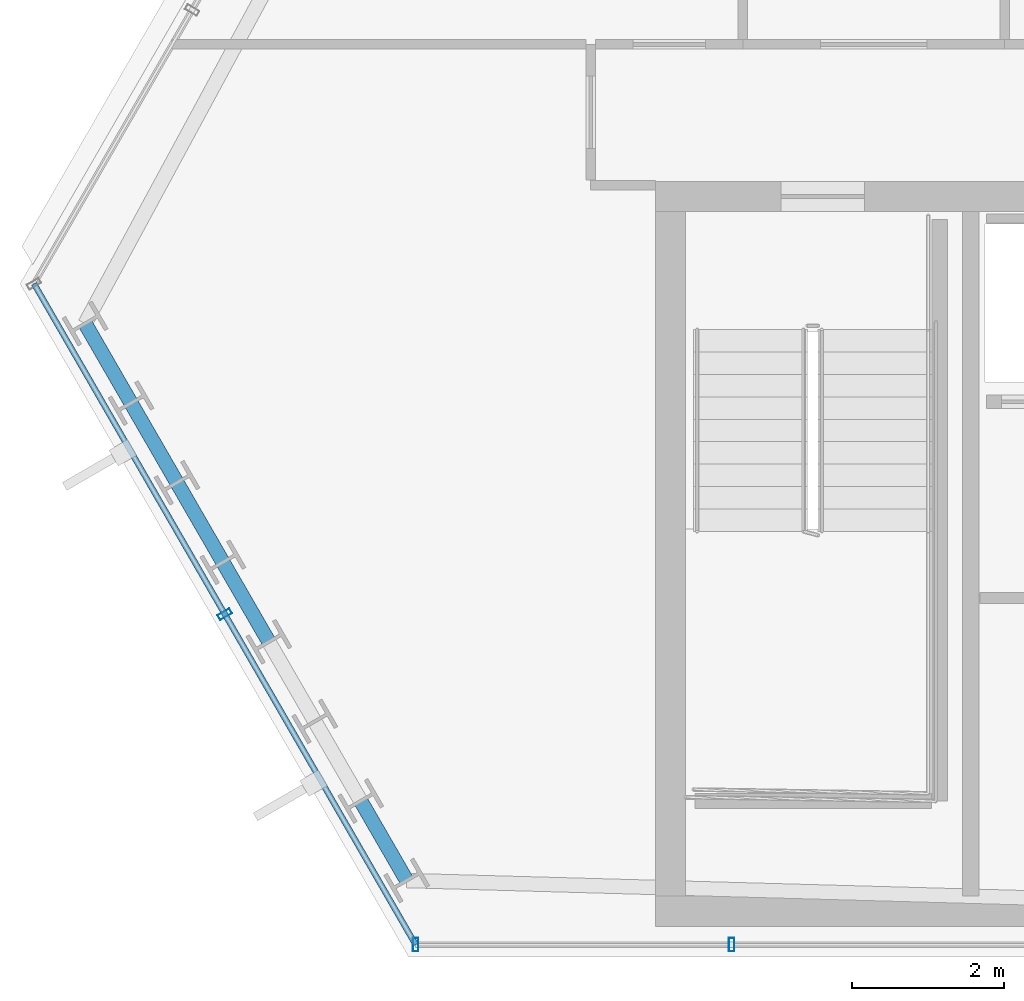
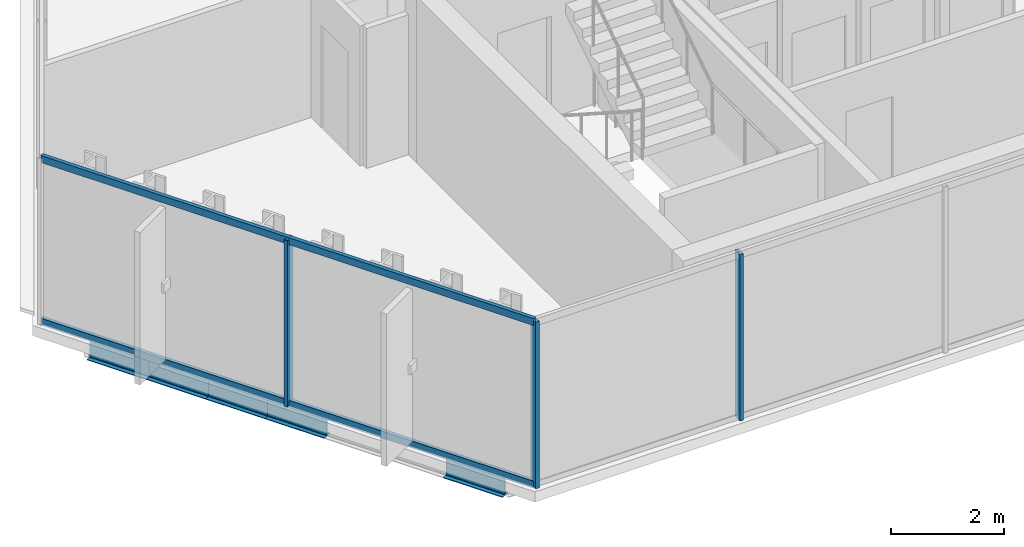
# One storey, part 2 of 35: 5 beams, 5 members, 2 elements without a shape of their own.
"""IFC4 building model written with IfcOpenShell, lengths in metres."""

from ifc_helpers import new_model, si_unit, direction, frame, origin, origin_2d, place, context, subcontext, project, spatial, hollow_rectangle, i_section, extrude, material, layer, layer_set, material_profile, profile_set, type_object, element, aggregate, save


model = new_model("IFC4")

# Units and contexts
model_context = context("Model", 3, precision=1e-05, world=origin(), true_north=direction((0.0, 1.0)))
body_context = subcontext(model_context, "Body", "Model", "MODEL_VIEW")
ifc_project = project(units=[si_unit("LENGTHUNIT", "METRE"), si_unit("AREAUNIT", "SQUARE_METRE"), si_unit("VOLUMEUNIT", "CUBIC_METRE"), si_unit("PLANEANGLEUNIT", "RADIAN"), si_unit("MASSUNIT", "GRAM", prefix="KILO")], contexts=[model_context])

# Site, building, storey
site_placement = place(None, origin())
site = spatial("IfcSite", under=ifc_project, at=site_placement, CompositionType="ELEMENT")
building_placement = place(site_placement, origin())
building = spatial("IfcBuilding", under=site, at=building_placement, Name="Ndaravel Arena Tower", CompositionType="ELEMENT")
storey_placement = place(building_placement, frame((0.0, 0.0, 172.60009765625)))
storey = spatial("IfcBuildingStorey", under=building, at=storey_placement, Name="L41", CompositionType="ELEMENT", Elevation=172.60009765625)

# Beams
ifc_material_1 = material(Name="Steel S355", Category="steel")
ifc_material_profile_1 = material_profile(ifc_material_1, i_section(OverallWidth=0.18994140625, OverallDepth=0.449951171875, WebThickness=0.009521484375, FlangeThickness=0.0146484375, FilletRadius=0.02099609375, at=origin_2d()), Name="IPE 450")
ifc_profile_set_1 = profile_set([ifc_material_profile_1], Name="Steel S355")
beam_type = type_object("IfcBeamType", Name="BM-SPAN-IPE450", PredefinedType="SPANDREL", material=ifc_profile_set_1)
for number, where, z_axis, x_axis, name in (
    (1, (18.949462890625, 13.32958984375, -0.445068359375), (0.499984757355, -0.866034203951, 0.0), (0.866034203951, 0.499984757355, 0.0), "L41 Perimeter Spandrel Beam SP-20"),
    (2, (19.5537109375, 12.282958984375, -0.445068359375), (0.499984757355, -0.866034203951, 0.0), (0.866034203951, 0.499984757355, 0.0), "L41 Perimeter Spandrel Beam SP-21"),
    (3, (20.157958984375, 11.236328125, -0.445068359375), (0.499984757355, -0.866034203951, 0.0), (0.866034203951, 0.499984757355, 0.0), "L41 Perimeter Spandrel Beam SP-22"),
    (4, (20.76220703125, 10.189697265625, -0.445068359375), (0.499984757355, -0.866034203951, 0.0), (0.866034203951, 0.499984757355, 0.0), "L41 Perimeter Spandrel Beam SP-23"),
):
    element("IfcBeam", number, at=place(storey_placement, frame(where, z_axis=z_axis, x_axis=x_axis)), inside=storey, type_object=beam_type, Name=name, PredefinedType="SPANDREL", context=body_context, shape_type="SweptSolid", body=[
        extrude(i_section(OverallWidth=0.18994140625, OverallDepth=0.449951171875, WebThickness=0.009521484375, FlangeThickness=0.0146484375, FilletRadius=0.02099609375, at=origin_2d()), origin(), (0.0, 0.0, 1.0), 1.20849609375),
    ])
beam_placement = place(storey_placement, frame((22.574951171875, 7.0498046875, -0.445068359375), z_axis=(0.500072242978, -0.865983690264, 0.0), x_axis=(0.865983690264, 0.500072242978, 0.0)))
element("IfcBeam", 5, at=beam_placement, inside=storey, type_object=beam_type, Name="L41 Perimeter Spandrel Beam SP-26", PredefinedType="SPANDREL", context=body_context, shape_type="SweptSolid", body=[
    extrude(i_section(OverallWidth=0.18994140625, OverallDepth=0.449951171875, WebThickness=0.009521484375, FlangeThickness=0.0146484375, FilletRadius=0.02099609375, at=origin_2d()), origin(), (0.0, 0.0, 1.0), 1.208251953125),
])

# Curtain wall, members
ifc_material_2 = material(Name="Aluminium", Category="aluminium")
ifc_layer_1 = layer(ifc_material_2, 0.179931640625)
ifc_layer_set_1 = layer_set([ifc_layer_1], Name="Aluminium")
curtain_wall_type_1 = type_object("IfcCurtainWallType", Name="CW-SYS-03", PredefinedType="NOTDEFINED", material=ifc_layer_set_1)
curtain_wall_1_placement = place(storey_placement, origin())
curtain_wall_1 = element("IfcCurtainWall", 6, at=curtain_wall_1_placement, inside=storey, type_object=curtain_wall_type_1, Name="L41 Faceted Crystal Curtain Wall CW-L41-E01", PredefinedType="NOTDEFINED")
ifc_material_3 = material(Name="Aluminium", Category="aluminium")
ifc_material_profile_2 = material_profile(ifc_material_3, hollow_rectangle(XDim=0.074951171875, YDim=0.179931640625, WallThickness=0.00390625, at=origin_2d()), Name="CW MULLION 75x180x4")
ifc_profile_set_2 = profile_set([ifc_material_profile_2], Name="Aluminium")
member_type_1 = type_object("IfcMemberType", Name="MEM-CW-MUL180", PredefinedType="MULLION", material=ifc_profile_set_2)
member_1_placement = place(storey_placement, frame((23.296630859375, 5.159912109375, 0.0), z_axis=(0.0, 0.0, 1.0), x_axis=(1.0, 0.0, 0.0)))
member_1 = element("IfcMember", 7, at=member_1_placement, type_object=member_type_1, Name="CW-L41-E01 Mullion 00", PredefinedType="MULLION", context=body_context, shape_type="SweptSolid", body=[
    extrude(hollow_rectangle(XDim=0.074951171875, YDim=0.179931640625, WallThickness=0.00390625, at=origin_2d()), origin(), (0.0, 0.0, 1.0), 3.579833984375),
])
member_2_placement = place(storey_placement, frame((27.452880859375, 5.159912109375, 0.0), z_axis=(0.0, 0.0, 1.0), x_axis=(1.0, 0.0, 0.0)))
member_2 = element("IfcMember", 8, at=member_2_placement, type_object=member_type_1, Name="CW-L41-E01 Mullion 01", PredefinedType="MULLION", context=body_context, shape_type="SweptSolid", body=[
    extrude(hollow_rectangle(XDim=0.074951171875, YDim=0.179931640625, WallThickness=0.00390625, at=origin_2d()), origin(), (0.0, 0.0, 1.0), 3.579833984375),
])
aggregate(curtain_wall_1, [member_1, member_2])

ifc_material_4 = material(Name="Aluminium", Category="aluminium")
ifc_layer_2 = layer(ifc_material_4, 0.179931640625)
ifc_layer_set_2 = layer_set([ifc_layer_2], Name="Aluminium")
curtain_wall_type_2 = type_object("IfcCurtainWallType", Name="CW-SYS-02", PredefinedType="NOTDEFINED", material=ifc_layer_set_2)
curtain_wall_2_placement = place(storey_placement, origin())
curtain_wall_2 = element("IfcCurtainWall", 9, at=curtain_wall_2_placement, inside=storey, type_object=curtain_wall_type_2, Name="L41 Faceted Crystal Curtain Wall CW-L41-E06", PredefinedType="NOTDEFINED")
member_3_placement = place(storey_placement, frame((20.787109375, 9.506591796875, 0.0), z_axis=(0.0, 0.0, 1.0), x_axis=(0.5, -0.866025403784, 0.0)))
member_3 = element("IfcMember", 10, at=member_3_placement, type_object=member_type_1, Name="CW-L41-E06 Mullion 01", PredefinedType="MULLION", context=body_context, shape_type="SweptSolid", body=[
    extrude(hollow_rectangle(XDim=0.074951171875, YDim=0.179931640625, WallThickness=0.00390625, at=origin_2d()), origin(), (0.0, 0.0, 1.0), 3.579833984375),
])
ifc_material_5 = material(Name="Aluminium", Category="aluminium")
ifc_material_profile_3 = material_profile(ifc_material_5, hollow_rectangle(XDim=0.074951171875, YDim=0.14990234375, WallThickness=0.00390625, at=origin_2d()), Name="CW TRANSOM 75x150x4")
ifc_profile_set_3 = profile_set([ifc_material_profile_3], Name="Aluminium")
member_type_2 = type_object("IfcMemberType", Name="MEM-CW-TRN150", PredefinedType="USERDEFINED", material=ifc_profile_set_3)
member_4_placement = place(storey_placement, frame((18.27783203125, 13.852783203125, 0.039794921875), z_axis=(0.499997561338, -0.866026811742, 0.0), x_axis=(0.866026811742, 0.499997561338, 0.0)))
member_4 = element("IfcMember", 11, at=member_4_placement, type_object=member_type_2, Name="CW-L41-E06 Transom 01", ObjectType="TRANSOM", PredefinedType="USERDEFINED", context=body_context, shape_type="SweptSolid", body=[
    extrude(hollow_rectangle(XDim=0.074951171875, YDim=0.14990234375, WallThickness=0.00390625, at=origin_2d()), origin(), (0.0, 0.0, 1.0), 10.03759765625),
])
member_5_placement = place(storey_placement, frame((18.27783203125, 13.852783203125, 3.539794921875), z_axis=(0.499997561338, -0.866026811742, 0.0), x_axis=(0.866026811742, 0.499997561338, 0.0)))
member_5 = element("IfcMember", 12, at=member_5_placement, type_object=member_type_2, Name="CW-L41-E06 Transom 02", ObjectType="TRANSOM", PredefinedType="USERDEFINED", context=body_context, shape_type="SweptSolid", body=[
    extrude(hollow_rectangle(XDim=0.074951171875, YDim=0.14990234375, WallThickness=0.00390625, at=origin_2d()), origin(), (0.0, 0.0, 1.0), 10.03759765625),
])
aggregate(curtain_wall_2, [member_3, member_4, member_5])

save(model, "model.ifc")
